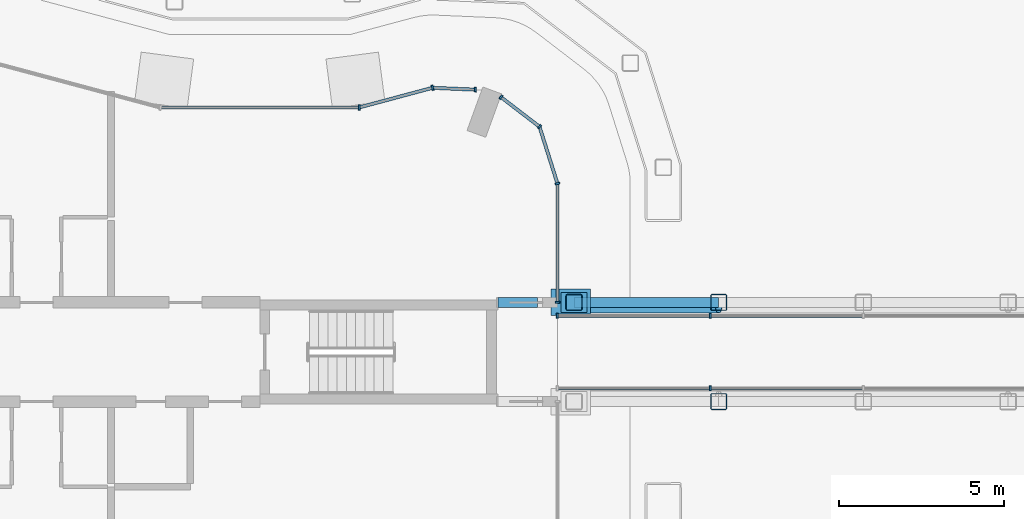
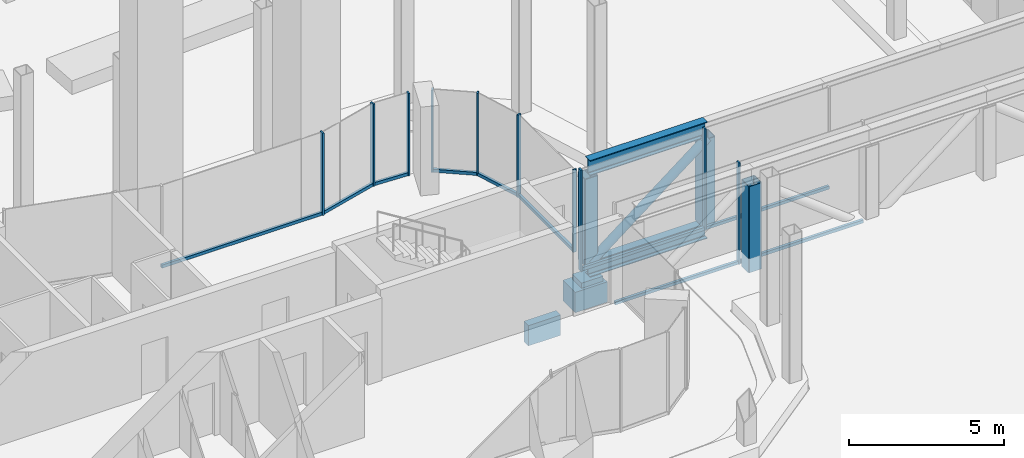
# One storey, part 10 of 33: 25 members, 2 beams, 8 elements without a shape of their own.
"""IFC4 building model written with IfcOpenShell, lengths in metres."""

from ifc_helpers import new_model, si_unit, direction, frame, origin, origin_2d, place, context, subcontext, project, spatial, rectangle, hollow_rectangle, hollow_circle, i_section, extrude, material, layer, layer_set, material_profile, profile_set, type_object, element, aggregate, save


model = new_model("IFC4")

# Units and contexts
model_context = context("Model", 3, precision=1e-05, world=origin(), true_north=direction((0.0, 1.0)))
body_context = subcontext(model_context, "Body", "Model", "MODEL_VIEW")
ifc_project = project(units=[si_unit("LENGTHUNIT", "METRE"), si_unit("AREAUNIT", "SQUARE_METRE"), si_unit("VOLUMEUNIT", "CUBIC_METRE"), si_unit("PLANEANGLEUNIT", "RADIAN"), si_unit("MASSUNIT", "GRAM", prefix="KILO")], contexts=[model_context])

# Site, building, storey
site_placement = place(None, origin())
site = spatial("IfcSite", under=ifc_project, at=site_placement, CompositionType="ELEMENT")
building_placement = place(site_placement, origin())
building = spatial("IfcBuilding", under=site, at=building_placement, Name="Plateau Cross Towers", CompositionType="ELEMENT")
storey_placement = place(building_placement, frame((0.0, 0.0, 26.800048828125)))
storey = spatial("IfcBuildingStorey", under=building, at=storey_placement, Name="L05", CompositionType="ELEMENT", Elevation=26.800048828125)

# Beam
ifc_material_1 = material(Name="Concrete C60/75", Category="concrete")
ifc_material_profile_1 = material_profile(ifc_material_1, rectangle(XDim=0.800048828125, YDim=0.800048828125, at=origin_2d()), Name="RC 800x800")
ifc_profile_set_1 = profile_set([ifc_material_profile_1], Name="Concrete C60/75")
beam_type_1 = type_object("IfcBeamType", Name="Bridge corbel RC 800x800", PredefinedType="BEAM", material=ifc_profile_set_1)
beam_1_placement = place(storey_placement, frame((53.800048828125, 10.5, -1.699951171875), z_axis=(1.0, 0.0, 0.0), x_axis=(0.0, 1.0, 0.0)))
element("IfcBeam", 1, at=beam_1_placement, inside=storey, type_object=beam_type_1, Name="BR-P-CORBEL2", PredefinedType="BEAM", context=body_context, shape_type="SweptSolid", body=[
    extrude(rectangle(XDim=0.800048828125, YDim=0.800048828125, at=origin_2d()), origin(), (0.0, 0.0, 1.0), 1.199951171875),
])

# Curtain wall, member
ifc_material_2 = material(Name="Dark low-iron glass", Category="glass")
ifc_layer_1 = layer(ifc_material_2, 0.239990234375)
ifc_layer_set_1 = layer_set([ifc_layer_1], Name="Dark low-iron glass")
curtain_wall_type_1 = type_object("IfcCurtainWallType", Name="Curtain wall flush unitised CW-B", PredefinedType="NOTDEFINED", material=ifc_layer_set_1)
curtain_wall_1_placement = place(storey_placement, origin())
curtain_wall_1 = element("IfcCurtainWall", 2, at=curtain_wall_1_placement, inside=storey, type_object=curtain_wall_type_1, Name="ENV/A/L05/A540_105", PredefinedType="NOTDEFINED")
ifc_material_3 = material(Name="Black anodised aluminium", Category="aluminium")
ifc_material_profile_2 = material_profile(ifc_material_3, rectangle(XDim=0.06005859375, YDim=0.139892578125, at=origin_2d()), Name="MULLION 60x140")
ifc_profile_set_2 = profile_set([ifc_material_profile_2], Name="Black anodised aluminium")
member_type_1 = type_object("IfcMemberType", Name="Mullion 60x140 flush unitised", PredefinedType="MULLION", material=ifc_profile_set_2)
member_1_placement = place(storey_placement, frame((54.0, 10.5, 0.0), z_axis=(0.0, 0.0, 1.0), x_axis=(0.0, 1.0, 0.0)))
member_1 = element("IfcMember", 3, at=member_1_placement, type_object=member_type_1, Name="CW-B mullion 1", PredefinedType="MULLION", context=body_context, shape_type="SweptSolid", body=[
    extrude(rectangle(XDim=0.06005859375, YDim=0.139892578125, at=origin_2d()), origin(), (0.0, 0.0, 1.0), 3.25),
])

curtain_wall_2_placement = place(storey_placement, origin())
curtain_wall_2 = element("IfcCurtainWall", 4, at=curtain_wall_2_placement, inside=storey, type_object=curtain_wall_type_1, Name="ENV/A/L05/A540_141", PredefinedType="NOTDEFINED")
member_2_placement = place(storey_placement, frame((54.0, 14.0908203125, 0.0), z_axis=(0.0, 0.0, 1.0), x_axis=(-0.300686174994, 0.95372313811, 0.0)))
member_2 = element("IfcMember", 5, at=member_2_placement, type_object=member_type_1, Name="CW-B mullion 1", PredefinedType="MULLION", context=body_context, shape_type="SweptSolid", body=[
    extrude(rectangle(XDim=0.06005859375, YDim=0.139892578125, at=origin_2d()), origin(), (0.0, 0.0, 1.0), 3.25),
])

# Curtain wall, members
curtain_wall_3_placement = place(storey_placement, origin())
curtain_wall_3 = element("IfcCurtainWall", 6, at=curtain_wall_3_placement, inside=storey, type_object=curtain_wall_type_1, Name="ENV/A/L05/A535_158", PredefinedType="NOTDEFINED")
member_3_placement = place(storey_placement, frame((53.45751953125, 15.8115234375, 0.0), z_axis=(0.0, 0.0, 1.0), x_axis=(-0.793315514529, 0.608810721331, 0.0)))
member_3 = element("IfcMember", 7, at=member_3_placement, type_object=member_type_1, Name="CW-B mullion 1", PredefinedType="MULLION", context=body_context, shape_type="SweptSolid", body=[
    extrude(rectangle(XDim=0.06005859375, YDim=0.139892578125, at=origin_2d()), origin(), (0.0, 0.0, 1.0), 3.25),
])
member_4_placement = place(storey_placement, frame((52.290283203125, 16.707275390625, 0.0), z_axis=(0.0, 0.0, 1.0), x_axis=(-0.793315514529, 0.608810721331, 0.0)))
member_4 = element("IfcMember", 8, at=member_4_placement, type_object=member_type_1, Name="CW-B mullion 2", PredefinedType="MULLION", context=body_context, shape_type="SweptSolid", body=[
    extrude(rectangle(XDim=0.06005859375, YDim=0.139892578125, at=origin_2d()), origin(), (0.0, 0.0, 1.0), 3.25),
])

# Curtain wall, member
curtain_wall_4_placement = place(storey_placement, origin())
curtain_wall_4 = element("IfcCurtainWall", 9, at=curtain_wall_4_placement, inside=storey, type_object=curtain_wall_type_1, Name="ENV/A/L05/A515_169", PredefinedType="NOTDEFINED")
member_5_placement = place(storey_placement, frame((51.516357421875, 16.93212890625, 0.0), z_axis=(0.0, 0.0, 1.0), x_axis=(-0.999043701491, 0.043722791671, 0.0)))
member_5 = element("IfcMember", 10, at=member_5_placement, type_object=member_type_1, Name="CW-B mullion 1", PredefinedType="MULLION", context=body_context, shape_type="SweptSolid", body=[
    extrude(rectangle(XDim=0.06005859375, YDim=0.139892578125, at=origin_2d()), origin(), (0.0, 0.0, 1.0), 3.25),
])

ifc_material_4 = material(Name="Dark low-iron laminated glass", Category="glass")
ifc_layer_2 = layer(ifc_material_4, 0.25)
ifc_layer_set_2 = layer_set([ifc_layer_2], Name="Dark low-iron laminated glass")
curtain_wall_type_2 = type_object("IfcCurtainWallType", Name="Curtain wall bridge CW-E", PredefinedType="NOTDEFINED", material=ifc_layer_set_2)
curtain_wall_5_placement = place(storey_placement, origin())
curtain_wall_5 = element("IfcCurtainWall", 11, at=curtain_wall_5_placement, inside=storey, type_object=curtain_wall_type_2, Name="ENV/BR/L05/BR-P-south-1", PredefinedType="NOTDEFINED")
ifc_material_profile_3 = material_profile(ifc_material_3, rectangle(XDim=0.06005859375, YDim=0.14990234375, at=origin_2d()), Name="MULLION 60x150")
ifc_profile_set_3 = profile_set([ifc_material_profile_3], Name="Black anodised aluminium")
member_type_2 = type_object("IfcMemberType", Name="Mullion 60x150 bridge", PredefinedType="MULLION", material=ifc_profile_set_3)
member_6_placement = place(storey_placement, frame((58.625, 7.89990234375, -0.5), z_axis=(0.0, 0.0, 1.0), x_axis=(1.0, 0.0, 0.0)))
member_6 = element("IfcMember", 12, at=member_6_placement, type_object=member_type_2, Name="CW-E mullion 2", PredefinedType="MULLION", context=body_context, shape_type="SweptSolid", body=[
    extrude(rectangle(XDim=0.06005859375, YDim=0.14990234375, at=origin_2d()), origin(), (0.0, 0.0, 1.0), 4.0),
])

# Curtain wall, members
curtain_wall_6_placement = place(storey_placement, origin())
curtain_wall_6 = element("IfcCurtainWall", 13, at=curtain_wall_6_placement, inside=storey, type_object=curtain_wall_type_2, Name="ENV/BR/L05/BR-P-north-1", PredefinedType="NOTDEFINED")
member_7_placement = place(storey_placement, frame((54.0, 10.10009765625, -0.5), z_axis=(0.0, 0.0, 1.0), x_axis=(1.0, 0.0, 0.0)))
member_7 = element("IfcMember", 14, at=member_7_placement, type_object=member_type_2, Name="CW-E mullion 1", PredefinedType="MULLION", context=body_context, shape_type="SweptSolid", body=[
    extrude(rectangle(XDim=0.06005859375, YDim=0.14990234375, at=origin_2d()), origin(), (0.0, 0.0, 1.0), 4.0),
])
member_8_placement = place(storey_placement, frame((58.625, 10.10009765625, -0.5), z_axis=(0.0, 0.0, 1.0), x_axis=(1.0, 0.0, 0.0)))
member_8 = element("IfcMember", 15, at=member_8_placement, type_object=member_type_2, Name="CW-E mullion 2", PredefinedType="MULLION", context=body_context, shape_type="SweptSolid", body=[
    extrude(rectangle(XDim=0.06005859375, YDim=0.14990234375, at=origin_2d()), origin(), (0.0, 0.0, 1.0), 4.0),
])

# Curtain wall, member
ifc_layer_3 = layer(ifc_material_2, 0.260009765625)
ifc_layer_set_3 = layer_set([ifc_layer_3], Name="Dark low-iron glass")
curtain_wall_type_3 = type_object("IfcCurtainWallType", Name="Curtain wall fluted unitised CW-A", PredefinedType="NOTDEFINED", material=ifc_layer_set_3)
curtain_wall_7_placement = place(storey_placement, origin())
curtain_wall_7 = element("IfcCurtainWall", 16, at=curtain_wall_7_placement, inside=storey, type_object=curtain_wall_type_3, Name="ENV/A/L05/A502_170", PredefinedType="NOTDEFINED")
ifc_material_profile_4 = material_profile(ifc_material_3, rectangle(XDim=0.06005859375, YDim=0.159912109375, at=origin_2d()), Name="MULLION 60x160")
ifc_profile_set_4 = profile_set([ifc_material_profile_4], Name="Black anodised aluminium")
member_type_3 = type_object("IfcMemberType", Name="Mullion 60x160 fluted unitised", PredefinedType="MULLION", material=ifc_profile_set_4)
member_9_placement = place(storey_placement, frame((50.223876953125, 16.98876953125, 0.0), z_axis=(0.0, 0.0, 1.0), x_axis=(-0.965957962328, -0.258699081978, 0.0)))
member_9 = element("IfcMember", 17, at=member_9_placement, type_object=member_type_3, Name="CW-A mullion 1", PredefinedType="MULLION", context=body_context, shape_type="SweptSolid", body=[
    extrude(rectangle(XDim=0.06005859375, YDim=0.159912109375, at=origin_2d()), origin(), (0.0, 0.0, 1.0), 3.25),
])

curtain_wall_8_placement = place(storey_placement, origin())
curtain_wall_8 = element("IfcCurtainWall", 18, at=curtain_wall_8_placement, inside=storey, type_object=curtain_wall_type_3, Name="ENV/A/L05/A480_164", PredefinedType="NOTDEFINED")
member_10_placement = place(storey_placement, frame((48.0, 16.39306640625, 0.0), z_axis=(0.0, 0.0, 1.0), x_axis=(-1.0, 0.0, 0.0)))
member_10 = element("IfcMember", 19, at=member_10_placement, type_object=member_type_3, Name="CW-A mullion 1", PredefinedType="MULLION", context=body_context, shape_type="SweptSolid", body=[
    extrude(rectangle(XDim=0.06005859375, YDim=0.159912109375, at=origin_2d()), origin(), (0.0, 0.0, 1.0), 3.25),
])

# Members
ifc_material_5 = material(Name="Steel S355", Category="steel")
ifc_layer_4 = layer(ifc_material_5, 0.199951171875)
ifc_layer_set_4 = layer_set([ifc_layer_4], Name="Steel S355")
member_type_4 = type_object("IfcMemberType", Name="Pinned bridge bearing BRG 800x600", PredefinedType="USERDEFINED", material=ifc_layer_set_4)
member_11_placement = place(storey_placement, frame((54.5, 10.5, -1.2998046875), z_axis=(0.0, 0.0, 1.0), x_axis=(1.0, 0.0, 0.0)))
element("IfcMember", 20, at=member_11_placement, inside=storey, type_object=member_type_4, Name="Podium bridge pinned bearing 2", ObjectType="BEARING", PredefinedType="USERDEFINED", context=body_context, shape_type="SweptSolid", body=[
    extrude(rectangle(XDim=0.800048828125, YDim=0.60009765625, at=origin_2d()), origin(), (0.0, 0.0, 1.0), 0.199951171875),
])
ifc_material_profile_5 = material_profile(ifc_material_5, i_section(OverallWidth=0.300048828125, OverallDepth=0.60009765625, WebThickness=0.015380859375, FlangeThickness=0.030029296875, FilletRadius=0.027099609375, at=origin_2d()), Name="HE 600 B")
ifc_profile_set_5 = profile_set([ifc_material_profile_5], Name="Steel S355")
member_type_5 = type_object("IfcMemberType", Name="Podium bridge truss chord HE 600 B", PredefinedType="CHORD", material=ifc_profile_set_5)
for number, where, z_axis, x_axis, name in (
    (21, (54.5, 10.5, -0.800048828125), (1.0, 0.0, 0.0), (0.0, 1.0, 0.0), "BR-P-T2-B1"),
    (22, (54.5, 10.5, 3.199951171875), (1.0, 0.0, 0.0), (0.0, 1.0, 0.0), "BR-P-T2-T1"),
):
    element("IfcMember", number, at=place(storey_placement, frame(where, z_axis=z_axis, x_axis=x_axis)), inside=storey, type_object=member_type_5, Name=name, PredefinedType="CHORD", context=body_context, shape_type="SweptSolid", body=[
        extrude(i_section(OverallWidth=0.300048828125, OverallDepth=0.60009765625, WebThickness=0.015380859375, FlangeThickness=0.030029296875, FilletRadius=0.027099609375, at=origin_2d()), origin(), (0.0, 0.0, 1.0), 4.375),
    ])
ifc_material_profile_6 = material_profile(ifc_material_5, hollow_circle(Radius=0.161865234375, WallThickness=0.012451171875, at=origin_2d()), Name="CHS 323.9x12.5")
ifc_profile_set_6 = profile_set([ifc_material_profile_6], Name="Steel S355")
member_type_6 = type_object("IfcMemberType", Name="Podium bridge truss diagonal CHS 323.9x12.5", PredefinedType="BRACE", material=ifc_profile_set_6)
member_12_placement = place(storey_placement, frame((54.5, 10.342041015625, -0.5), z_axis=(0.789603647501, 0.0, 0.613617209548), x_axis=(0.0, 1.0, 0.0)))
element("IfcMember", 23, at=member_12_placement, inside=storey, type_object=member_type_6, Name="BR-P-T2-D1", PredefinedType="BRACE", context=body_context, shape_type="SweptSolid", body=[
    extrude(hollow_circle(Radius=0.161865234375, WallThickness=0.012451171875, at=origin_2d()), origin(), (0.0, 0.0, 1.0), 5.540771484375),
])
ifc_material_profile_7 = material_profile(ifc_material_5, hollow_rectangle(XDim=0.5, YDim=0.5, WallThickness=0.02490234375, InnerFilletRadius=0.02490234375, OuterFilletRadius=0.050048828125, at=origin_2d()), Name="SHS 500x500x25")
ifc_profile_set_7 = profile_set([ifc_material_profile_7], Name="Steel S355")
member_type_7 = type_object("IfcMemberType", Name="Podium bridge truss post SHS 500x500x25", PredefinedType="POST", material=ifc_profile_set_7)
for number, where, z_axis, x_axis, name in (
    (24, (58.875, 7.5, -0.5), (0.0, 0.0, 1.0), (1.0, 0.0, 0.0), "BR-P-T1-V2"),
    (25, (54.5, 10.5, -0.5), (0.0, 0.0, 1.0), (1.0, 0.0, 0.0), "BR-P-T2-V1"),
    (26, (58.875, 10.5, -0.5), (0.0, 0.0, 1.0), (1.0, 0.0, 0.0), "BR-P-T2-V2"),
):
    element("IfcMember", number, at=place(storey_placement, frame(where, z_axis=z_axis, x_axis=x_axis)), inside=storey, type_object=member_type_7, Name=name, PredefinedType="POST", context=body_context, shape_type="SweptSolid", body=[
        extrude(hollow_rectangle(XDim=0.5, YDim=0.5, WallThickness=0.02490234375, InnerFilletRadius=0.02490234375, OuterFilletRadius=0.050048828125, at=origin_2d()), origin(), (0.0, 0.0, 1.0), 3.39990234375),
    ])

# Beam
ifc_material_profile_8 = material_profile(ifc_material_1, rectangle(XDim=0.300048828125, YDim=0.800048828125, at=origin_2d()), Name="RC 300x800")
ifc_profile_set_8 = profile_set([ifc_material_profile_8], Name="Concrete C60/75")
beam_type_2 = type_object("IfcBeamType", Name="Stub wall bearer RC 300x800", PredefinedType="BEAM", material=ifc_profile_set_8)
beam_2_placement = place(storey_placement, frame((52.199951171875, 10.5, -2.60009765625), z_axis=(1.0, 0.0, 0.0), x_axis=(0.0, 1.0, 0.0)))
element("IfcBeam", 27, at=beam_2_placement, inside=storey, type_object=beam_type_2, Name="A-end-E-bridge-N@L05-bearer", PredefinedType="BEAM", context=body_context, shape_type="SweptSolid", body=[
    extrude(rectangle(XDim=0.300048828125, YDim=0.800048828125, at=origin_2d()), origin(), (0.0, 0.0, 1.0), 1.199951171875),
])

# Member
ifc_material_profile_9 = material_profile(ifc_material_3, rectangle(XDim=0.10009765625, YDim=0.1201171875, at=origin_2d()), Name="TRANSOM 100x120")
ifc_profile_set_9 = profile_set([ifc_material_profile_9], Name="Black anodised aluminium")
member_type_8 = type_object("IfcMemberType", Name="Transom 100x120 bridge", PredefinedType="USERDEFINED", material=ifc_profile_set_9)
member_13_placement = place(storey_placement, frame((54.0, 7.89990234375, -0.43994140625), z_axis=(1.0, 0.0, 0.0), x_axis=(0.0, 1.0, 0.0)))
member_13 = element("IfcMember", 28, at=member_13_placement, type_object=member_type_8, Name="CW-E transom", ObjectType="TRANSOM", PredefinedType="USERDEFINED", context=body_context, shape_type="SweptSolid", body=[
    extrude(rectangle(XDim=0.10009765625, YDim=0.1201171875, at=origin_2d()), origin(), (0.0, 0.0, 1.0), 9.25),
])

aggregate(curtain_wall_5, [member_6, member_13])

member_14_placement = place(storey_placement, frame((54.0, 10.10009765625, -0.43994140625), z_axis=(1.0, 0.0, 0.0), x_axis=(0.0, 1.0, 0.0)))
member_14 = element("IfcMember", 29, at=member_14_placement, type_object=member_type_8, Name="CW-E transom", ObjectType="TRANSOM", PredefinedType="USERDEFINED", context=body_context, shape_type="SweptSolid", body=[
    extrude(rectangle(XDim=0.10009765625, YDim=0.1201171875, at=origin_2d()), origin(), (0.0, 0.0, 1.0), 9.25),
])

aggregate(curtain_wall_6, [member_7, member_8, member_14])

ifc_material_profile_10 = material_profile(ifc_material_3, rectangle(XDim=0.10009765625, YDim=0.1201171875, at=origin_2d()), Name="TRANSOM 100x120")
ifc_profile_set_10 = profile_set([ifc_material_profile_10], Name="Black anodised aluminium")
member_type_9 = type_object("IfcMemberType", Name="Transom 100x120 flush unitised", PredefinedType="USERDEFINED", material=ifc_profile_set_10)
member_15_placement = place(storey_placement, frame((54.0, 10.5, 0.06005859375), z_axis=(0.0, 1.0, 0.0), x_axis=(-1.0, 0.0, 0.0)))
member_15 = element("IfcMember", 30, at=member_15_placement, type_object=member_type_9, Name="CW-B transom", ObjectType="TRANSOM", PredefinedType="USERDEFINED", context=body_context, shape_type="SweptSolid", body=[
    extrude(rectangle(XDim=0.10009765625, YDim=0.1201171875, at=origin_2d()), origin(), (0.0, 0.0, 1.0), 3.5908203125),
])

aggregate(curtain_wall_1, [member_1, member_15])

member_16_placement = place(storey_placement, frame((54.0, 14.0908203125, 0.06005859375), z_axis=(-0.30067799945, 0.953725715626, 0.0), x_axis=(-0.953725715626, -0.30067799945, 0.0)))
member_16 = element("IfcMember", 31, at=member_16_placement, type_object=member_type_9, Name="CW-B transom", ObjectType="TRANSOM", PredefinedType="USERDEFINED", context=body_context, shape_type="SweptSolid", body=[
    extrude(rectangle(XDim=0.10009765625, YDim=0.1201171875, at=origin_2d()), origin(), (0.0, 0.0, 1.0), 1.80419921875),
])

aggregate(curtain_wall_2, [member_2, member_16])

member_17_placement = place(storey_placement, frame((53.45751953125, 15.8115234375, 0.06005859375), z_axis=(-0.793320508571, 0.608804213751, 0.0), x_axis=(-0.608804213751, -0.793320508571, 0.0)))
member_17 = element("IfcMember", 32, at=member_17_placement, type_object=member_type_9, Name="CW-B transom", ObjectType="TRANSOM", PredefinedType="USERDEFINED", context=body_context, shape_type="SweptSolid", body=[
    extrude(rectangle(XDim=0.10009765625, YDim=0.1201171875, at=origin_2d()), origin(), (0.0, 0.0, 1.0), 1.471435546875),
])

aggregate(curtain_wall_3, [member_3, member_4, member_17])

member_18_placement = place(storey_placement, frame((51.516357421875, 16.93212890625, 0.06005859375), z_axis=(-0.999041144614, 0.043781175963, 0.0), x_axis=(-0.043781175963, -0.999041144614, 0.0)))
member_18 = element("IfcMember", 33, at=member_18_placement, type_object=member_type_9, Name="CW-B transom", ObjectType="TRANSOM", PredefinedType="USERDEFINED", context=body_context, shape_type="SweptSolid", body=[
    extrude(rectangle(XDim=0.10009765625, YDim=0.1201171875, at=origin_2d()), origin(), (0.0, 0.0, 1.0), 1.293701171875),
])

aggregate(curtain_wall_4, [member_5, member_18])

ifc_material_profile_11 = material_profile(ifc_material_3, rectangle(XDim=0.10009765625, YDim=0.1201171875, at=origin_2d()), Name="TRANSOM 100x120")
ifc_profile_set_11 = profile_set([ifc_material_profile_11], Name="Black anodised aluminium")
member_type_10 = type_object("IfcMemberType", Name="Transom 100x120 fluted unitised", PredefinedType="USERDEFINED", material=ifc_profile_set_11)
member_19_placement = place(storey_placement, frame((50.223876953125, 16.98876953125, 0.06005859375), z_axis=(-0.965945685136, -0.258744919501, 0.0), x_axis=(0.258744919501, -0.965945685136, 0.0)))
member_19 = element("IfcMember", 34, at=member_19_placement, type_object=member_type_10, Name="CW-A transom", ObjectType="TRANSOM", PredefinedType="USERDEFINED", context=body_context, shape_type="SweptSolid", body=[
    extrude(rectangle(XDim=0.10009765625, YDim=0.1201171875, at=origin_2d()), origin(), (0.0, 0.0, 1.0), 2.30224609375),
])

aggregate(curtain_wall_7, [member_9, member_19])

member_20_placement = place(storey_placement, frame((48.0, 16.39306640625, 0.06005859375), z_axis=(-1.0, 0.0, 0.0), x_axis=(0.0, -1.0, 0.0)))
member_20 = element("IfcMember", 35, at=member_20_placement, type_object=member_type_10, Name="CW-A transom", ObjectType="TRANSOM", PredefinedType="USERDEFINED", context=body_context, shape_type="SweptSolid", body=[
    extrude(rectangle(XDim=0.10009765625, YDim=0.1201171875, at=origin_2d()), origin(), (0.0, 0.0, 1.0), 6.0),
])

aggregate(curtain_wall_8, [member_10, member_20])

save(model, "model.ifc")
